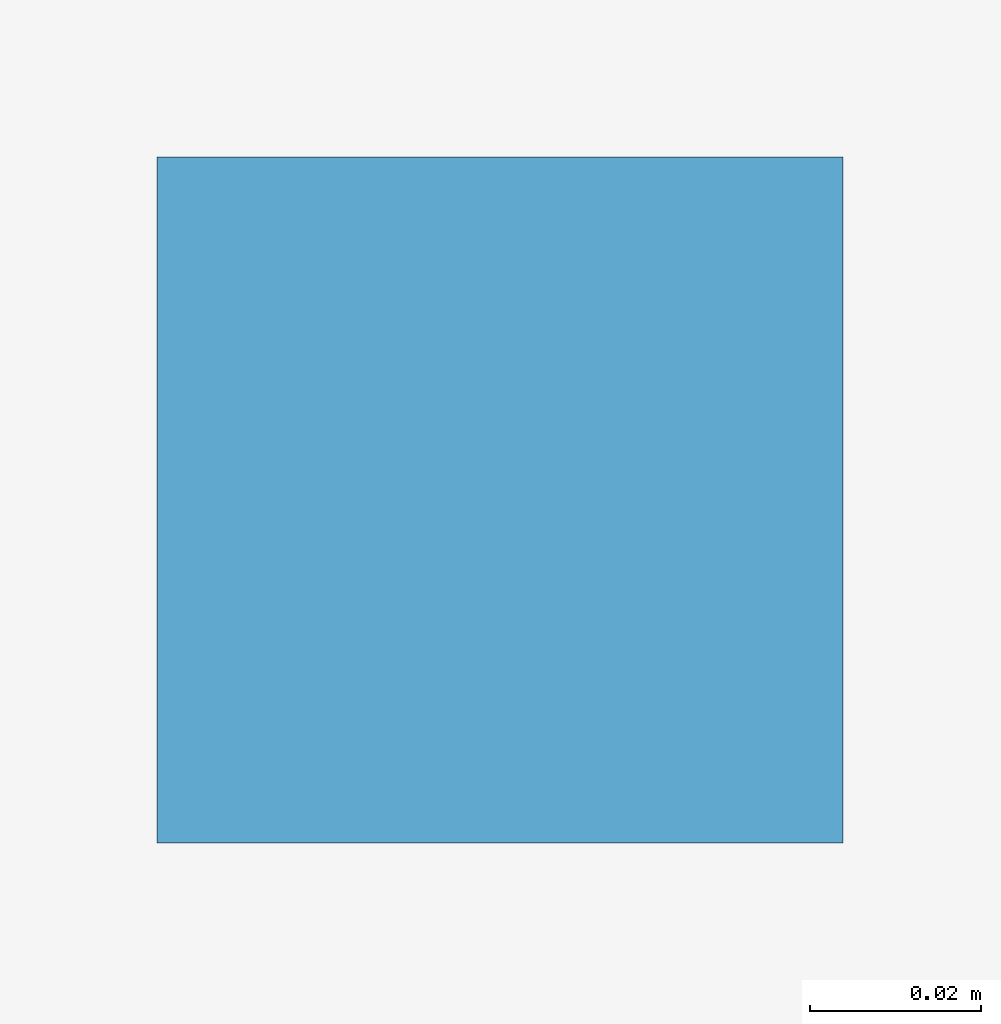
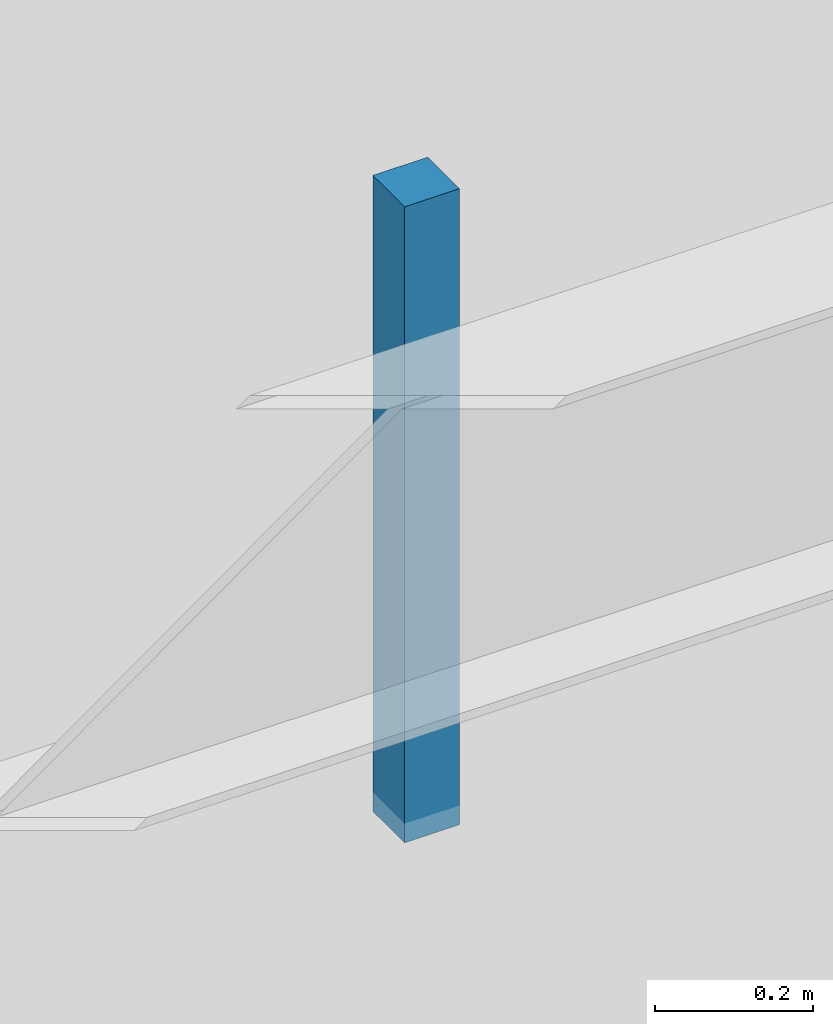
# One storey, part 12 of 17: 1 discrete accessory.
"""IFC4 building model written with IfcOpenShell, lengths in metres."""

from ifc_helpers import new_model, si_unit, direction, frame, origin, origin_2d, place, context, subcontext, project, spatial, rectangle, extrude, source, transform, mapped, material, type_object, element, save


model = new_model("IFC4")

# Units and contexts
model_context = context("Model", 3, precision=1e-05, world=origin(), true_north=direction((0.0, 1.0)))
body_context = subcontext(model_context, "Body", "Model", "MODEL_VIEW")
ifc_project = project(units=[si_unit("LENGTHUNIT", "METRE"), si_unit("AREAUNIT", "SQUARE_METRE"), si_unit("VOLUMEUNIT", "CUBIC_METRE"), si_unit("PLANEANGLEUNIT", "RADIAN"), si_unit("MASSUNIT", "GRAM", prefix="KILO")], contexts=[model_context])

# Site, building, storey
site_placement = place(None, origin())
site = spatial("IfcSite", under=ifc_project, at=site_placement, CompositionType="ELEMENT")
building_placement = place(site_placement, origin())
building = spatial("IfcBuilding", under=site, at=building_placement, Name="Giltprow Tower", CompositionType="ELEMENT")
storey_placement = place(building_placement, frame((0.0, 0.0, 37.10009765625)))
storey = spatial("IfcBuildingStorey", under=building, at=storey_placement, Name="L09", CompositionType="ELEMENT", Elevation=37.10009765625)

# Discrete accessory
ifc_material = material(Name="Structural steel Q355B", Category="steel")
discrete_accessory_type = type_object("IfcDiscreteAccessoryType", Name="ACC-CLG-HANGER", PredefinedType="BRACKET", material=ifc_material)
shared_shape = source(origin(), body_context, "Body", "SweptSolid", [
    extrude(rectangle(XDim=0.080078125, YDim=0.080078125, at=origin_2d()), origin(), (0.0, 0.0, 1.0), 0.97998046875),
])
discrete_accessory_placement = place(storey_placement, frame((25.39990234375, 18.614013671875, 2.719970703125), z_axis=(0.0, 0.0, 1.0), x_axis=(1.0, 0.0, 0.0)))
element("IfcDiscreteAccessory", 1, at=discrete_accessory_placement, inside=storey, type_object=discrete_accessory_type, Name="L09 Office Acoustic Ceiling Suspension Hanger", PredefinedType="BRACKET", context=body_context, shape_type="MappedRepresentation", body=[
    mapped(shared_shape, transform((0.0, 0.0, 0.0), x_axis=(1.0, 0.0, 0.0), y_axis=(0.0, 1.0, 0.0), z_axis=(0.0, 0.0, 1.0), scale=1.0)),
])

save(model, "model.ifc")
